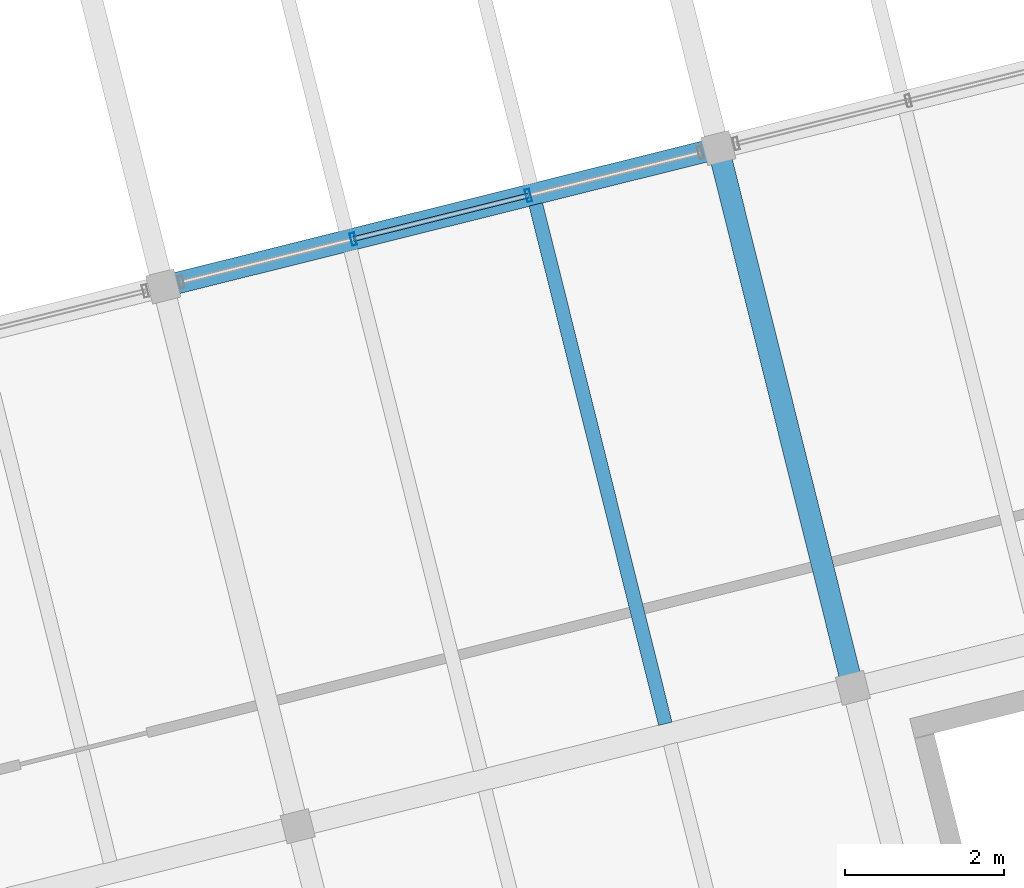
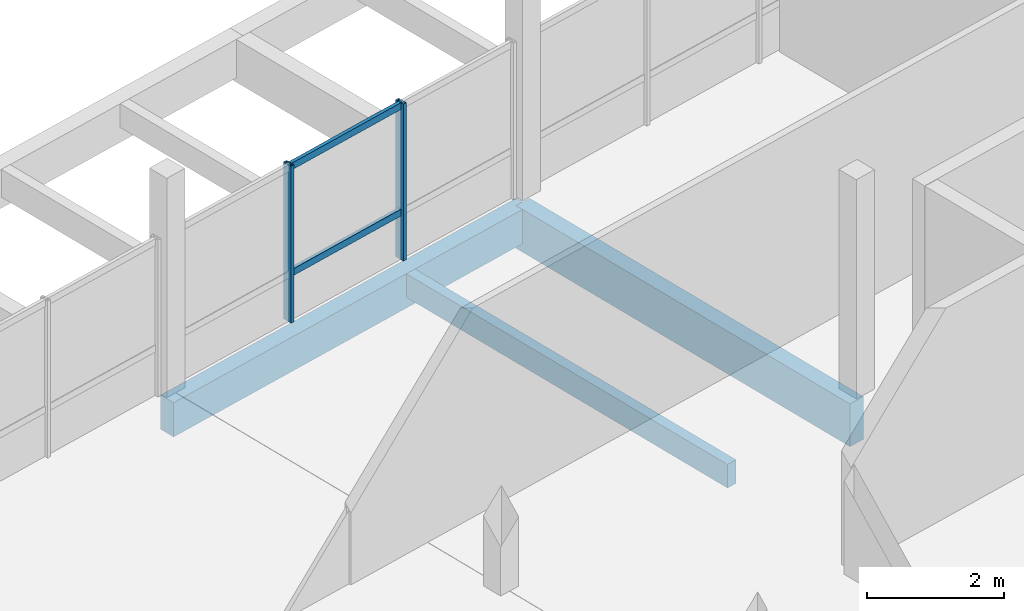
# One storey, part 13 of 28: 4 members, 3 beams, 1 element without a shape of its own.
"""IFC4 building model written with IfcOpenShell, lengths in metres."""

from ifc_helpers import new_model, si_unit, direction, frame, origin, origin_2d, place, context, subcontext, project, spatial, rectangle, hollow_rectangle, extrude, material, layer, layer_set, material_profile, profile_set, type_object, element, aggregate, save


model = new_model("IFC4")

# Units and contexts
model_context = context("Model", 3, precision=1e-05, world=origin(), true_north=direction((0.0, 1.0)))
body_context = subcontext(model_context, "Body", "Model", "MODEL_VIEW")
ifc_project = project(units=[si_unit("LENGTHUNIT", "METRE"), si_unit("AREAUNIT", "SQUARE_METRE"), si_unit("VOLUMEUNIT", "CUBIC_METRE"), si_unit("PLANEANGLEUNIT", "RADIAN"), si_unit("MASSUNIT", "GRAM", prefix="KILO")], contexts=[model_context])

# Site, building, storey
site_placement = place(None, origin())
site = spatial("IfcSite", under=ifc_project, at=site_placement, CompositionType="ELEMENT")
building_placement = place(site_placement, origin())
building = spatial("IfcBuilding", under=site, at=building_placement, Name="Meriwether Solvik Hall", CompositionType="ELEMENT")
storey_placement = place(building_placement, frame((0.0, 0.0, 45.60009765625)))
storey = spatial("IfcBuildingStorey", under=building, at=storey_placement, Name="L11", CompositionType="ELEMENT", Elevation=45.60009765625)

# Beams
ifc_material_1 = material(Name="Glulam Douglas-Fir 24F-V8 GL28h", Category="wood")
ifc_material_profile_1 = material_profile(ifc_material_1, rectangle(XDim=0.27294921875, YDim=0.610107421875, at=origin_2d()), Name="GLB-273X610")
ifc_profile_set_1 = profile_set([ifc_material_profile_1], Name="Glulam Douglas-Fir 24F-V8 GL28h")
beam_type_1 = type_object("IfcBeamType", Name="BM-GL-273X610", PredefinedType="SPANDREL", material=ifc_profile_set_1)
beam_1_placement = place(storey_placement, frame((76.1865234375, 71.94873046875, -0.505126953125), z_axis=(0.970291911955, 0.241937193493, 0.0), x_axis=(-0.241937193493, 0.970291911955, 0.0)))
element("IfcBeam", 1, at=beam_1_placement, inside=storey, type_object=beam_type_1, Name="Tower Girder TE:T3-T4 (L11)", PredefinedType="SPANDREL", context=body_context, shape_type="SweptSolid", body=[
    extrude(rectangle(XDim=0.27294921875, YDim=0.610107421875, at=origin_2d()), origin(), (0.0, 0.0, 1.0), 7.199951171875),
])
ifc_material_2 = material(Name="Glulam Douglas-Fir 24F-V8 GL28h", Category="wood")
ifc_material_profile_2 = material_profile(ifc_material_2, rectangle(XDim=0.27294921875, YDim=0.760009765625, at=origin_2d()), Name="GLB-273X760")
ifc_profile_set_2 = profile_set([ifc_material_profile_2], Name="Glulam Douglas-Fir 24F-V8 GL28h")
beam_type_2 = type_object("IfcBeamType", Name="BM-GL-273X760", PredefinedType="BEAM", material=ifc_profile_set_2)
beam_2_placement = place(storey_placement, frame((84.8662109375, 66.8984375, -0.580078125), z_axis=(-0.241936527961, 0.970292077901, 0.0), x_axis=(-0.970292077901, -0.241936527961, 0.0)))
element("IfcBeam", 2, at=beam_2_placement, inside=storey, type_object=beam_type_2, Name="Tower Girder T4:TD-TE (L11)", PredefinedType="BEAM", context=body_context, shape_type="SweptSolid", body=[
    extrude(rectangle(XDim=0.27294921875, YDim=0.760009765625, at=origin_2d()), origin(), (0.0, 0.0, 1.0), 7.000244140625),
])

# Curtain wall, members
ifc_material_3 = material(Name="Thermally Broken Anodised Aluminium 6063-T6 and Low-E Glass", Category="aluminium")
ifc_layer = layer(ifc_material_3, 0.179931640625)
ifc_layer_set = layer_set([ifc_layer], Name="Thermally Broken Anodised Aluminium 6063-T6 and Low-E Glass")
curtain_wall_type = type_object("IfcCurtainWallType", Name="CW-UNIT-F", PredefinedType="USERDEFINED", material=ifc_layer_set)
curtain_wall_placement = place(storey_placement, origin())
curtain_wall = element("IfcCurtainWall", 3, at=curtain_wall_placement, inside=storey, type_object=curtain_wall_type, Name="Curtain Wall E2_B2 (L11)", ObjectType="UNITISED CURTAIN WALL", PredefinedType="USERDEFINED")
ifc_material_4 = material(Name="Anodised Aluminium 6063-T6", Category="aluminium")
ifc_material_profile_3 = material_profile(ifc_material_4, hollow_rectangle(XDim=0.06005859375, YDim=0.159912109375, WallThickness=0.00390625, at=origin_2d()), Name="CWM-60X160")
ifc_profile_set_3 = profile_set([ifc_material_profile_3], Name="Anodised Aluminium 6063-T6")
member_type_1 = type_object("IfcMemberType", Name="CW-MUL-60X160", PredefinedType="MULLION", material=ifc_profile_set_3)
member_1_placement = place(storey_placement, frame((78.578125, 72.544921875, 0.0), z_axis=(0.0, 0.0, 1.0), x_axis=(0.970295725693, 0.241921897937, 0.0)))
member_1 = element("IfcMember", 4, at=member_1_placement, type_object=member_type_1, Name="Curtain Wall Mullion 2", PredefinedType="MULLION", context=body_context, shape_type="SweptSolid", body=[
    extrude(hollow_rectangle(XDim=0.06005859375, YDim=0.159912109375, WallThickness=0.00390625, at=origin_2d()), origin(), (0.0, 0.0, 1.0), 2.789794921875),
])
member_2_placement = place(storey_placement, frame((80.781005859375, 73.09423828125, 0.0), z_axis=(0.0, 0.0, 1.0), x_axis=(0.970295725693, 0.241921897937, 0.0)))
member_2 = element("IfcMember", 5, at=member_2_placement, type_object=member_type_1, Name="Curtain Wall Mullion 3", PredefinedType="MULLION", context=body_context, shape_type="SweptSolid", body=[
    extrude(hollow_rectangle(XDim=0.06005859375, YDim=0.159912109375, WallThickness=0.00390625, at=origin_2d()), origin(), (0.0, 0.0, 1.0), 2.789794921875),
])
ifc_material_5 = material(Name="Anodised Aluminium 6063-T6", Category="aluminium")
ifc_material_profile_4 = material_profile(ifc_material_5, hollow_rectangle(XDim=0.06005859375, YDim=0.1201171875, WallThickness=0.00390625, at=origin_2d()), Name="CWT-60X120")
ifc_profile_set_4 = profile_set([ifc_material_profile_4], Name="Anodised Aluminium 6063-T6")
member_type_2 = type_object("IfcMemberType", Name="CW-TRN-60X120", PredefinedType="USERDEFINED", material=ifc_profile_set_4)
member_3_placement = place(storey_placement, frame((78.578125, 72.544921875, 0.8369140625), z_axis=(0.970287814054, 0.241953627576, 0.0), x_axis=(-0.241953627576, 0.970287814054, 0.0)))
member_3 = element("IfcMember", 6, at=member_3_placement, type_object=member_type_2, Name="Curtain Wall Transom 2-sill", ObjectType="TRANSOM", PredefinedType="USERDEFINED", context=body_context, shape_type="SweptSolid", body=[
    extrude(hollow_rectangle(XDim=0.06005859375, YDim=0.1201171875, WallThickness=0.00390625, at=origin_2d()), origin(), (0.0, 0.0, 1.0), 2.270263671875),
])
member_4_placement = place(storey_placement, frame((78.578125, 72.544921875, 2.72998046875), z_axis=(0.970287814054, 0.241953627576, 0.0), x_axis=(-0.241953627576, 0.970287814054, 0.0)))
member_4 = element("IfcMember", 7, at=member_4_placement, type_object=member_type_2, Name="Curtain Wall Transom 2-head", ObjectType="TRANSOM", PredefinedType="USERDEFINED", context=body_context, shape_type="SweptSolid", body=[
    extrude(hollow_rectangle(XDim=0.06005859375, YDim=0.1201171875, WallThickness=0.00390625, at=origin_2d()), origin(), (0.0, 0.0, 1.0), 2.270263671875),
])
aggregate(curtain_wall, [member_1, member_2, member_3, member_4])

# Beam
ifc_material_6 = material(Name="Glulam Douglas-Fir 24F-V8 GL28h", Category="wood")
ifc_material_profile_5 = material_profile(ifc_material_6, rectangle(XDim=0.175048828125, YDim=0.419921875, at=origin_2d()), Name="GLJ-175X420")
ifc_profile_set_5 = profile_set([ifc_material_profile_5], Name="Glulam Douglas-Fir 24F-V8 GL28h")
beam_type_3 = type_object("IfcBeamType", Name="JST-GL-175X420", PredefinedType="JOIST", material=ifc_profile_set_5)
beam_3_placement = place(storey_placement, frame((82.505615234375, 66.445556640625, -0.41015625), z_axis=(-0.241930176813, 0.9702936615, 0.0), x_axis=(-0.9702936615, -0.241930176813, 0.0)))
element("IfcBeam", 8, at=beam_3_placement, inside=storey, type_object=beam_type_3, Name="Glulam Floor Joist T3/TD-J2 (L11)", PredefinedType="JOIST", context=body_context, shape_type="SweptSolid", body=[
    extrude(rectangle(XDim=0.175048828125, YDim=0.419921875, at=origin_2d()), origin(), (0.0, 0.0, 1.0), 6.737060546875),
])

save(model, "model.ifc")
